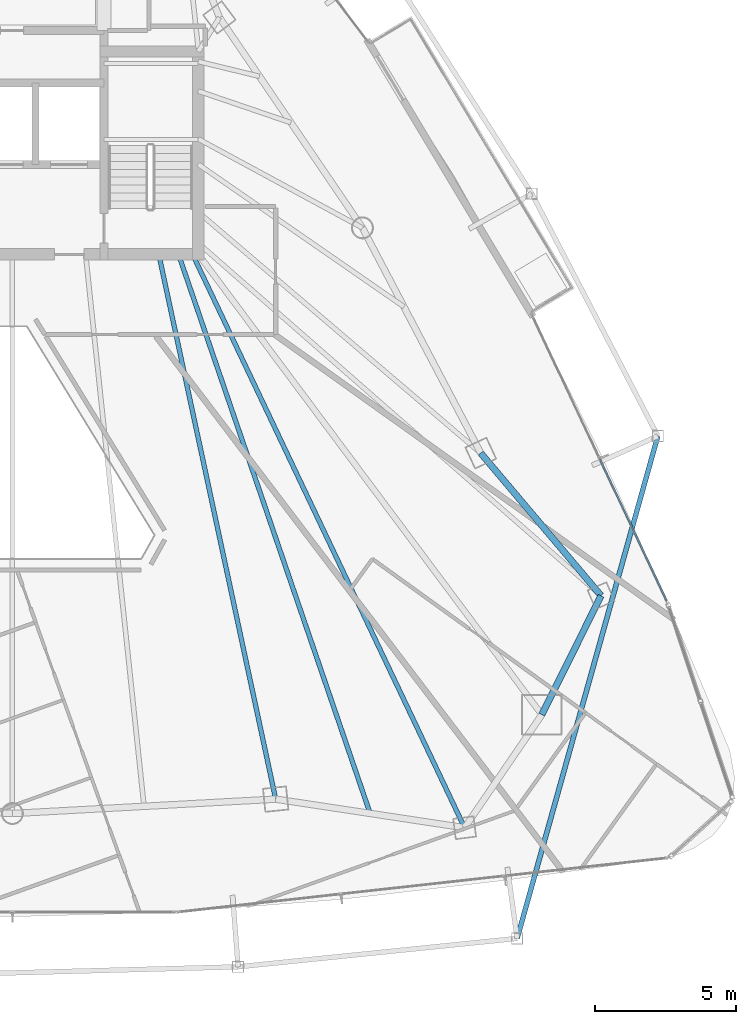
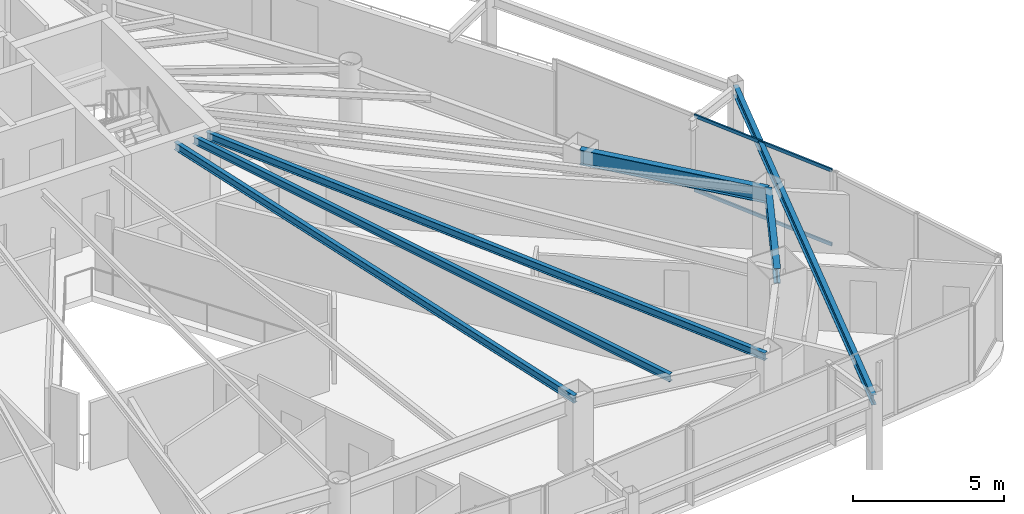
# One storey, part 13 of 30: 6 beams, 2 members, 1 element without a shape of its own.
"""IFC4 building model written with IfcOpenShell, lengths in metres."""

import ifcopenshell
import ifcopenshell.guid

model = None  # the IFC model being written
_history = None  # IfcOwnerHistory: only IFC2X3 demands one
_inside = {}  # id of a spatial element -> (the spatial element, [elements in it])
_under = {}  # id of a project, library or spatial element -> (it, [spatial elements below it])
_declared = {}  # id of a project -> (the project, [libraries it declares])
_typed = {}  # id of a type object -> (the type object, [elements of that type])
_made_of = {}  # id of a material, layer set ... -> (it, [elements and type objects made of it])


def new_model(schema):
    """Start an empty IFC model of exactly this schema.

    Asked for "IFC4X3", IfcOpenShell would pick the latest addendum, in which some entities
    have other attributes; the version numbers below select the first issue.
    IFC2X3 requires an IfcOwnerHistory on every rooted entity: one is made here for all.
    """
    global model, _history
    if schema == "IFC4X3":
        model = ifcopenshell.file(schema_version=(4, 3, 0, 0))
    else:
        model = ifcopenshell.file(schema=schema)
    _inside.clear()
    _under.clear()
    _declared.clear()
    _typed.clear()
    _made_of.clear()
    _history = None
    if model.schema == "IFC2X3":
        org = make("IfcOrganization", Name="unknown")
        user = make(
            "IfcPersonAndOrganization",
            ThePerson=make("IfcPerson", FamilyName="unknown"),
            TheOrganization=org,
        )
        app = make(
            "IfcApplication",
            ApplicationDeveloper=org,
            Version="unknown",
            ApplicationFullName="unknown",
            ApplicationIdentifier="unknown",
        )
        _history = make(
            "IfcOwnerHistory",
            OwningUser=user,
            OwningApplication=app,
            ChangeAction="ADDED",
            CreationDate=0,
        )
    return model


def make(cls, **values):
    """One entity of the class cls with the attributes given. An attribute that is None is left unset."""
    return model.create_entity(
        cls, **{name: value for name, value in values.items() if value is not None}
    )


def rooted(cls, **values):
    """An entity with a GlobalId (a new one), such as an element, a storey or a relation."""
    return make(cls, GlobalId=ifcopenshell.guid.new(), OwnerHistory=_history, **values)


def si_unit(unit_type, name, prefix=None):
    """IfcSIUnit, for example si_unit("LENGTHUNIT", "METRE", prefix="MILLI")."""
    return make("IfcSIUnit", UnitType=unit_type, Prefix=prefix, Name=name)


def assignment(units):
    """IfcUnitAssignment: the units of a project."""
    return None if units is None else make("IfcUnitAssignment", Units=units)


def point(xyz):
    """IfcCartesianPoint."""
    return None if xyz is None else make("IfcCartesianPoint", Coordinates=xyz)


def direction(xyz):
    """IfcDirection."""
    return None if xyz is None else make("IfcDirection", DirectionRatios=xyz)


def frame(location, z_axis=None, x_axis=None):
    """IfcAxis2Placement3D, a coordinate frame: its origin and axes. An axis left out is left unset."""
    return make(
        "IfcAxis2Placement3D",
        Location=point(location),
        Axis=direction(z_axis),
        RefDirection=direction(x_axis),
    )


def frame_2d(location, x_axis=None):
    """IfcAxis2Placement2D, a coordinate frame in the plane: its origin and x axis."""
    return make(
        "IfcAxis2Placement2D", Location=point(location), RefDirection=direction(x_axis)
    )


def origin():
    """The frame at (0, 0, 0) with its axes left unset."""
    return frame((0.0, 0.0, 0.0))


def origin_2d():
    """The frame at (0, 0) in the plane with its x axis left unset."""
    return frame_2d((0.0, 0.0))


def place(relative_to, where):
    """IfcLocalPlacement: puts the frame where relative to a parent placement (None: the world)."""
    return make(
        "IfcLocalPlacement", PlacementRelTo=relative_to, RelativePlacement=where
    )


def context(
    kind, dimensions, precision=None, world=None, true_north=None, identifier=None
):
    """IfcGeometricRepresentationContext, for example the 3D "Model" context."""
    return make(
        "IfcGeometricRepresentationContext",
        ContextIdentifier=identifier,
        ContextType=kind,
        CoordinateSpaceDimension=dimensions,
        Precision=precision,
        WorldCoordinateSystem=world,
        TrueNorth=true_north,
    )


def subcontext(parent, identifier, kind, view, scale=None):
    """IfcGeometricRepresentationSubContext, for example "Body" below "Model"."""
    return make(
        "IfcGeometricRepresentationSubContext",
        ContextIdentifier=identifier,
        ContextType=kind,
        ParentContext=parent,
        TargetScale=scale,
        TargetView=view,
    )


def project(units=None, contexts=None):
    """IfcProject with its units and contexts."""
    return rooted(
        "IfcProject",
        Name="project",
        RepresentationContexts=contexts,
        UnitsInContext=assignment(units),
    )


def spatial(cls, under=None, at=None, **own):
    """A site, building, storey or space (cls), placed at a placement, below another one or the project."""
    s = rooted(cls, ObjectPlacement=at, **own)
    if under is not None:
        _under.setdefault(under.id(), (under, []))[1].append(s)
    return s


def profile(cls, at=None, kind="AREA", **sizes):
    """A parametric profile (cls). Its sizes go by their IFC names, for example OverallWidth=200.0."""
    return make(cls, ProfileType=kind, Position=at, **sizes)


def hollow_rectangle(**sizes):
    """IfcRectangleHollowProfileDef."""
    return profile("IfcRectangleHollowProfileDef", **sizes)


def i_section(**sizes):
    """IfcIShapeProfileDef."""
    return profile("IfcIShapeProfileDef", **sizes)


def extrude(swept, where, along, depth):
    """IfcExtrudedAreaSolid: the profile swept, set in the frame where, extruded along a direction by depth."""
    return make(
        "IfcExtrudedAreaSolid",
        SweptArea=swept,
        Position=where,
        ExtrudedDirection=direction(along),
        Depth=depth,
    )


def shape(context_of_items, identifier, shape_type, items):
    """IfcShapeRepresentation: the items that make up one representation, for example the "Body"."""
    return make(
        "IfcShapeRepresentation",
        ContextOfItems=context_of_items,
        RepresentationIdentifier=identifier,
        RepresentationType=shape_type,
        Items=items,
    )


def material(Name=None, Category=None):
    """IfcMaterial."""
    return make("IfcMaterial", Name=Name, Category=Category)


def layer(
    of_material, thickness, ventilated=None, Name=None, Category=None, Priority=None
):
    """IfcMaterialLayer: one layer of a wall or slab, of a material (None: an air gap)."""
    return make(
        "IfcMaterialLayer",
        Material=of_material,
        LayerThickness=thickness,
        IsVentilated=ventilated,
        Name=Name,
        Category=Category,
        Priority=Priority,
    )


def layer_set(layers, Name=None):
    """IfcMaterialLayerSet."""
    return make("IfcMaterialLayerSet", MaterialLayers=layers, LayerSetName=Name)


def material_profile(
    of_material, cross_section, Name=None, Category=None, Priority=None
):
    """IfcMaterialProfile: a cross section and its material."""
    return make(
        "IfcMaterialProfile",
        Name=Name,
        Material=of_material,
        Profile=cross_section,
        Priority=Priority,
        Category=Category,
    )


def profile_set(profiles, Name=None, composite=None):
    """IfcMaterialProfileSet."""
    return make(
        "IfcMaterialProfileSet",
        Name=Name,
        MaterialProfiles=profiles,
        CompositeProfile=composite,
    )


def made_of(thing, what):
    """Note that an element or type object is made of a material, layer set ...; save() writes the relation."""
    if what is not None:
        _made_of.setdefault(what.id(), (what, []))[1].append(thing)
    return thing


def type_object(cls, material=None, **own):
    """A type object (cls), such as IfcWallType, which elements share."""
    return made_of(rooted(cls, **own), material)


def element(
    cls,
    number,
    at=None,
    inside=None,
    cuts=None,
    type_object=None,
    material=None,
    context=None,
    identifier="Body",
    shape_type=None,
    held_by="IfcProductDefinitionShape",
    body=None,
    shapes=None,
    **own,
):
    """One element of the class cls, such as IfcWall. Its Tag is "e" and its number.

    at: its placement. inside: the storey or other place that contains it. cuts: it is an
    opening in that element (IfcRelVoidsElement). A single representation is given by context,
    identifier, shape_type and body (its items); several are given by shapes. held_by: the class
    of the entity that holds the representations. save() writes the other relations.
    """
    e = rooted(cls, Tag="e%d" % number, ObjectPlacement=at, **own)
    if body is not None:
        shapes = [shape(context, identifier, shape_type, body)]
    if shapes is not None:
        e.Representation = make(held_by, Representations=shapes)
    if inside is not None:
        _inside.setdefault(inside.id(), (inside, []))[1].append(e)
    if cuts is not None:
        rooted(
            "IfcRelVoidsElement", RelatingBuildingElement=cuts, RelatedOpeningElement=e
        )
    if type_object is not None:
        _typed.setdefault(type_object.id(), (type_object, []))[1].append(e)
    return made_of(e, material)


def aggregate(whole, parts):
    """IfcRelAggregates: a whole, such as a stair, and the parts it consists of."""
    return rooted("IfcRelAggregates", RelatingObject=whole, RelatedObjects=parts)


def save(model, path):
    """Write the relations noted so far, then the file.

    IfcRelAggregates (storeys below a building ...), IfcRelContainedInSpatialStructure (elements
    in a storey), IfcRelDefinesByType, IfcRelAssociatesMaterial and IfcRelDeclares: one each for
    every whole, place, type object, material and project.
    """
    for whole, parts in _under.values():
        aggregate(whole, parts)
    for where, things in _inside.values():
        rooted(
            "IfcRelContainedInSpatialStructure",
            RelatedElements=things,
            RelatingStructure=where,
        )
    for kind, things in _typed.values():
        rooted("IfcRelDefinesByType", RelatedObjects=things, RelatingType=kind)
    for what, things in _made_of.values():
        rooted("IfcRelAssociatesMaterial", RelatedObjects=things, RelatingMaterial=what)
    for by, libraries in _declared.values():
        rooted("IfcRelDeclares", RelatingContext=by, RelatedDefinitions=libraries)
    model.write(path)


model = new_model("IFC4")

# Units and contexts
model_context = context("Model", 3, precision=1e-05, world=origin(), true_north=direction((0.0, 1.0)))
body_context = subcontext(model_context, "Body", "Model", "MODEL_VIEW")
ifc_project = project(units=[si_unit("LENGTHUNIT", "METRE"), si_unit("AREAUNIT", "SQUARE_METRE"), si_unit("VOLUMEUNIT", "CUBIC_METRE"), si_unit("PLANEANGLEUNIT", "RADIAN"), si_unit("MASSUNIT", "GRAM", prefix="KILO")], contexts=[model_context])

# Site, building, storey
site_placement = place(None, origin())
site = spatial("IfcSite", under=ifc_project, at=site_placement, CompositionType="ELEMENT")
building_placement = place(site_placement, origin())
building = spatial("IfcBuilding", under=site, at=building_placement, Name="Orvanel Arch Residences", CompositionType="ELEMENT")
storey_placement = place(building_placement, frame((0.0, 0.0, 136.39990234375)))
storey = spatial("IfcBuildingStorey", under=building, at=storey_placement, Name="L38", CompositionType="ELEMENT", Elevation=136.39990234375)

# Beams
ifc_material_1 = material(Name="Structural steel AS/NZS 3679.1 Grade 300 (300 MPa)", Category="steel")
ifc_material_profile_1 = material_profile(ifc_material_1, i_section(OverallWidth=0.1650390625, OverallDepth=0.303955078125, WebThickness=0.006103515625, FlangeThickness=0.01025390625, at=origin_2d()), Name="310UB40.4")
ifc_profile_set_1 = profile_set([ifc_material_profile_1], Name="Structural steel AS/NZS 3679.1 Grade 300 (300 MPa)")
beam_type_1 = type_object("IfcBeamType", Name="BJ-310UB", PredefinedType="JOIST", material=ifc_profile_set_1)
beam_1_placement = place(storey_placement, frame((38.199951171875, 26.699951171875, 2.908203125), z_axis=(0.209808012425, -0.977742603103, 0.0), x_axis=(0.977742603103, 0.209808012425, 0.0)))
element("IfcBeam", 1, at=beam_1_placement, inside=storey, type_object=beam_type_1, Name="L38 SE Wing Floor Joist", PredefinedType="JOIST", context=body_context, shape_type="SweptSolid", body=[
    extrude(i_section(OverallWidth=0.1650390625, OverallDepth=0.303955078125, WebThickness=0.006103515625, FlangeThickness=0.01025390625, at=origin_2d()), origin(), (0.0, 0.0, 1.0), 19.785400390625),
])
beam_2_placement = place(storey_placement, frame((39.39990234375, 26.699951171875, 2.908203125), z_axis=(0.428614365266, -0.903487534993, 0.0), x_axis=(0.903487534993, 0.428614365266, 0.0)))
element("IfcBeam", 2, at=beam_2_placement, inside=storey, type_object=beam_type_1, Name="L38 MSE Wing Floor Joist", PredefinedType="JOIST", context=body_context, shape_type="SweptSolid", body=[
    extrude(i_section(OverallWidth=0.1650390625, OverallDepth=0.303955078125, WebThickness=0.006103515625, FlangeThickness=0.01025390625, at=origin_2d()), origin(), (0.0, 0.0, 1.0), 22.535888671875),
])
beam_3_placement = place(storey_placement, frame((38.89990234375, 26.699951171875, 2.908203125), z_axis=(0.324257108963, -0.945968988544, 0.0), x_axis=(0.945968988544, 0.324257108963, 0.0)))
element("IfcBeam", 3, at=beam_3_placement, inside=storey, type_object=beam_type_1, Name="L38 JADD2 Wing Floor Joist", PredefinedType="JOIST", context=body_context, shape_type="SweptSolid", body=[
    extrude(i_section(OverallWidth=0.1650390625, OverallDepth=0.303955078125, WebThickness=0.006103515625, FlangeThickness=0.01025390625, at=origin_2d()), origin(), (0.0, 0.0, 1.0), 20.987060546875),
])
ifc_material_profile_2 = material_profile(ifc_material_1, i_section(OverallWidth=0.177978515625, OverallDepth=0.406005859375, WebThickness=0.0078125, FlangeThickness=0.0126953125, at=origin_2d()), Name="410UB59.7")
ifc_profile_set_2 = profile_set([ifc_material_profile_2], Name="Structural steel AS/NZS 3679.1 Grade 300 (300 MPa)")
beam_type_2 = type_object("IfcBeamType", Name="OB-410UB-EXT", PredefinedType="SPANDREL", material=ifc_profile_set_2)
beam_4_placement = place(storey_placement, frame((50.925048828125, 2.408935546875, 2.857177734375), z_axis=(0.269674896911, 0.962951426592, 0.0), x_axis=(-0.962951426592, 0.269674896911, 0.0)))
element("IfcBeam", 4, at=beam_4_placement, inside=storey, type_object=beam_type_2, Name="L38 Outer Perimeter Floor Ring Beam 08", PredefinedType="SPANDREL", context=body_context, shape_type="SweptSolid", body=[
    extrude(i_section(OverallWidth=0.177978515625, OverallDepth=0.406005859375, WebThickness=0.0078125, FlangeThickness=0.0126953125, at=origin_2d()), origin(), (0.0, 0.0, 1.0), 18.525390625),
])
ifc_material_profile_3 = material_profile(ifc_material_1, i_section(OverallWidth=0.22900390625, OverallDepth=0.612060546875, WebThickness=0.011962890625, FlangeThickness=0.01953125, at=origin_2d()), Name="610UB125")
ifc_profile_set_3 = profile_set([ifc_material_profile_3], Name="Structural steel AS/NZS 3679.1 Grade 300 (300 MPa)")
beam_type_3 = type_object("IfcBeamType", Name="SP-610UB", PredefinedType="SPANDREL", material=ifc_profile_set_3)
beam_5_placement = place(storey_placement, frame((51.801025390625, 10.35107421875, 2.754150390625), z_axis=(0.44543469453, 0.895314432425, 0.0), x_axis=(-0.895314432425, 0.44543469453, 0.0)))
element("IfcBeam", 5, at=beam_5_placement, inside=storey, type_object=beam_type_3, Name="L38 Perimeter Spandrel Beam 09", PredefinedType="SPANDREL", context=body_context, shape_type="SweptSolid", body=[
    extrude(i_section(OverallWidth=0.22900390625, OverallDepth=0.612060546875, WebThickness=0.011962890625, FlangeThickness=0.01953125, at=origin_2d()), origin(), (0.0, 0.0, 1.0), 4.723388671875),
])
beam_6_placement = place(storey_placement, frame((53.905029296875, 14.580078125, 2.754150390625), z_axis=(-0.644950329775, 0.764224490659, 0.0), x_axis=(-0.764224490659, -0.644950329775, 0.0)))
element("IfcBeam", 6, at=beam_6_placement, inside=storey, type_object=beam_type_3, Name="L38 Perimeter Spandrel Beam 10", PredefinedType="SPANDREL", context=body_context, shape_type="SweptSolid", body=[
    extrude(i_section(OverallWidth=0.22900390625, OverallDepth=0.612060546875, WebThickness=0.011962890625, FlangeThickness=0.01953125, at=origin_2d()), origin(), (0.0, 0.0, 1.0), 6.623779296875),
])

# Curtain wall, members
ifc_material_2 = material(Name="Bronze-anodised aluminium AA6063-T6", Category="aluminium")
ifc_layer = layer(ifc_material_2, 0.179931640625)
ifc_layer_set = layer_set([ifc_layer], Name="Bronze-anodised aluminium AA6063-T6")
curtain_wall_type = type_object("IfcCurtainWallType", Name="CW3-MID-SYS", PredefinedType="NOTDEFINED", material=ifc_layer_set)
curtain_wall_placement = place(storey_placement, origin())
curtain_wall = element("IfcCurtainWall", 7, at=curtain_wall_placement, inside=storey, type_object=curtain_wall_type, Name="L38 CW3-MID-SYS Unitised Curtain Wall", PredefinedType="NOTDEFINED")
ifc_material_profile_4 = material_profile(ifc_material_2, hollow_rectangle(XDim=0.06005859375, YDim=0.135009765625, WallThickness=0.00390625, at=origin_2d()), Name="ALU135x60x4")
ifc_profile_set_4 = profile_set([ifc_material_profile_4], Name="Bronze-anodised aluminium AA6063-T6")
member_type = type_object("IfcMemberType", Name="TRN-135x60", PredefinedType="USERDEFINED", material=ifc_profile_set_4)
member_1_placement = place(storey_placement, frame((56.230224609375, 14.40625, 0.030029296875), z_axis=(-0.426009230094, 0.904718815917, 0.0), x_axis=(-0.904718815917, -0.426009230094, 0.0)))
member_1 = element("IfcMember", 8, at=member_1_placement, type_object=member_type, Name="CW-S3 transom 1.1", ObjectType="TRANSOM", PredefinedType="USERDEFINED", context=body_context, shape_type="SweptSolid", body=[
    extrude(hollow_rectangle(XDim=0.06005859375, YDim=0.135009765625, WallThickness=0.00390625, at=origin_2d()), origin(), (0.0, 0.0, 1.0), 5.54052734375),
])
member_2_placement = place(storey_placement, frame((56.230224609375, 14.40625, 3.030029296875), z_axis=(-0.426009230094, 0.904718815917, 0.0), x_axis=(-0.904718815917, -0.426009230094, 0.0)))
member_2 = element("IfcMember", 9, at=member_2_placement, type_object=member_type, Name="CW-S3 transom 1.2", ObjectType="TRANSOM", PredefinedType="USERDEFINED", context=body_context, shape_type="SweptSolid", body=[
    extrude(hollow_rectangle(XDim=0.06005859375, YDim=0.135009765625, WallThickness=0.00390625, at=origin_2d()), origin(), (0.0, 0.0, 1.0), 5.54052734375),
])
aggregate(curtain_wall, [member_1, member_2])

save(model, "model.ifc")
